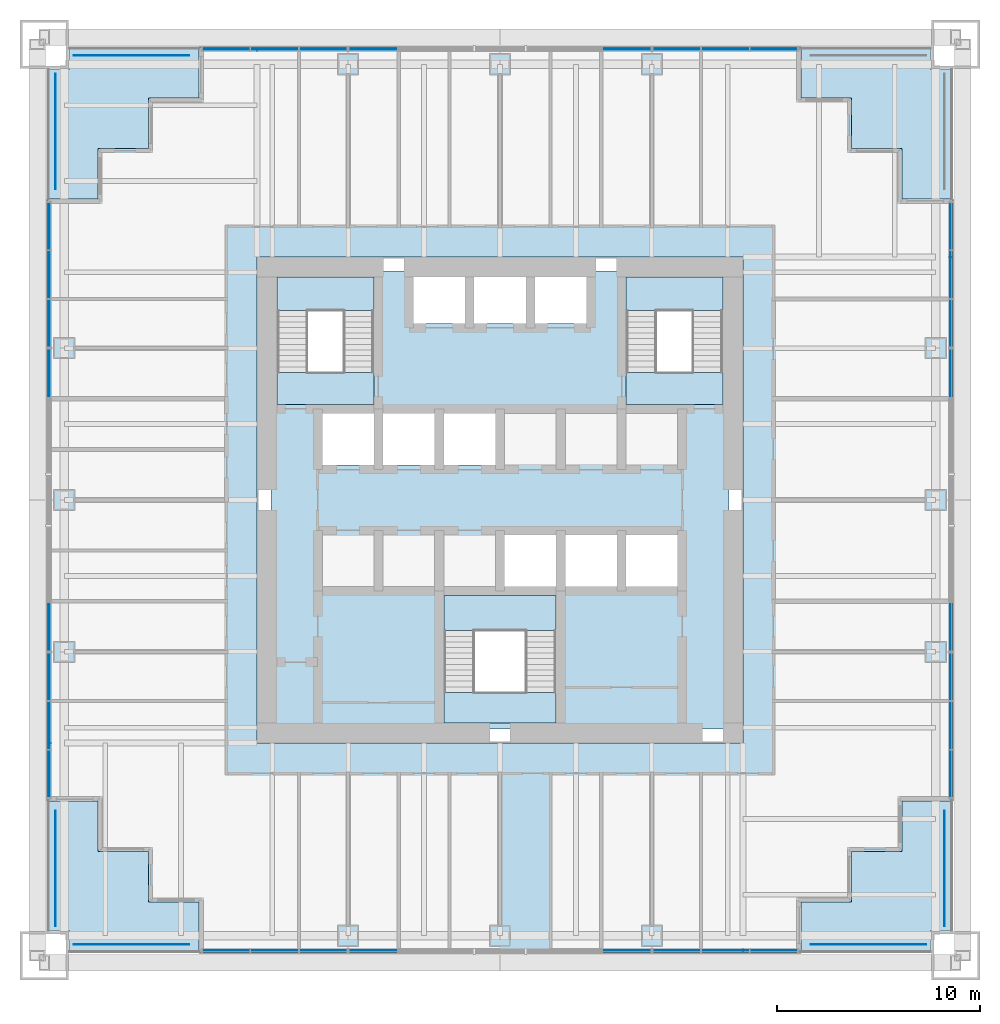
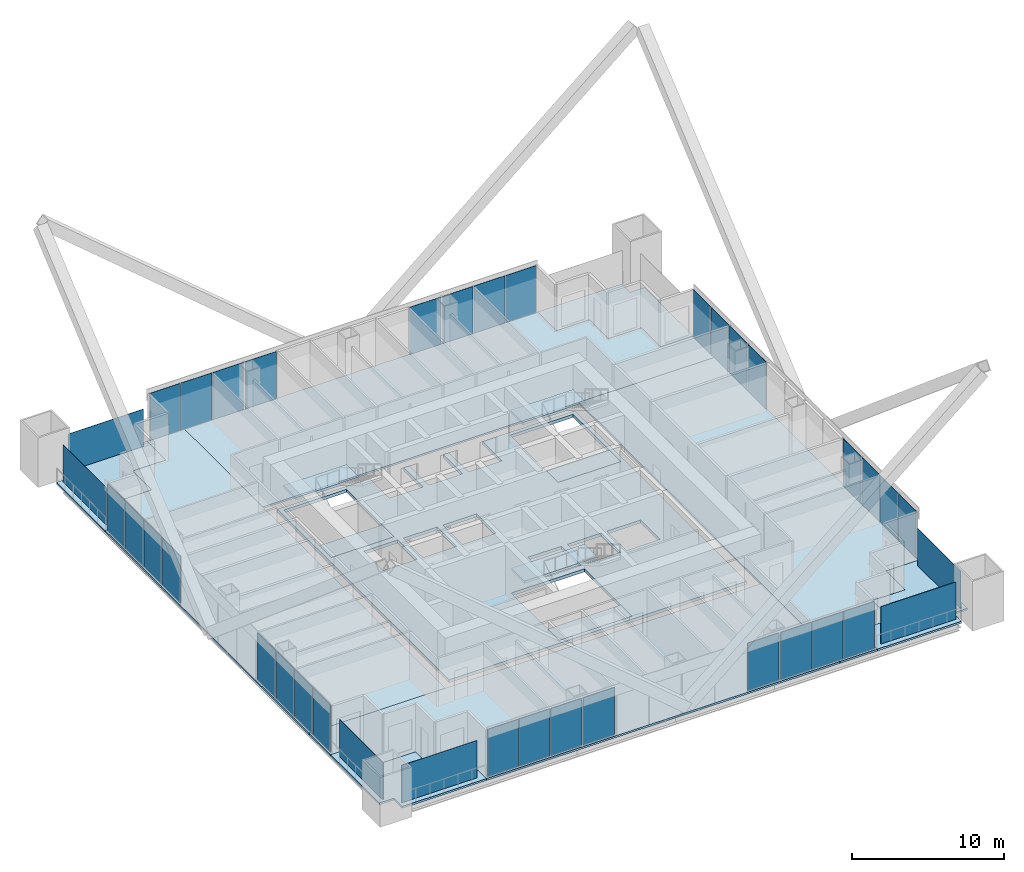
# One storey, part 10 of 17: 38 plates, 15 slabs, 19 elements without a shape of their own.
"""IFC4 building model written with IfcOpenShell, lengths in metres."""

from ifc_helpers import new_model, si_unit, direction, frame, origin, origin_2d, place, context, subcontext, project, spatial, polyline, rectangle, outline, extrude, material, layer, layer_set, type_object, element, aggregate, save


model = new_model("IFC4")

# Units and contexts
model_context = context("Model", 3, precision=1e-05, world=origin(), true_north=direction((0.0, 1.0)))
body_context = subcontext(model_context, "Body", "Model", "MODEL_VIEW")
ifc_project = project(units=[si_unit("LENGTHUNIT", "METRE"), si_unit("AREAUNIT", "SQUARE_METRE"), si_unit("VOLUMEUNIT", "CUBIC_METRE"), si_unit("PLANEANGLEUNIT", "RADIAN"), si_unit("MASSUNIT", "GRAM", prefix="KILO")], contexts=[model_context])

# Site, building, storey
site_placement = place(None, origin())
site = spatial("IfcSite", under=ifc_project, at=site_placement, CompositionType="ELEMENT")
building_placement = place(site_placement, origin())
building = spatial("IfcBuilding", under=site, at=building_placement, Name="Tarangal Relay Tower", CompositionType="ELEMENT")
storey_placement = place(building_placement, frame((0.0, 0.0, 233.89990234375)))
storey = spatial("IfcBuildingStorey", under=building, at=storey_placement, Name="L50", CompositionType="ELEMENT", Elevation=233.89990234375)

# Slabs
ifc_material_1 = material(Name="Concrete fc' 35 MPa", Category="concrete")
ifc_layer_1 = layer(ifc_material_1, 0.25)
ifc_layer_set_1 = layer_set([ifc_layer_1], Name="Core floor slab 250")
slab_type_1 = type_object("IfcSlabType", Name="Core floor slab 250", PredefinedType="FLOOR", material=ifc_layer_set_1)
slab_1_placement = place(storey_placement, frame((0.0, 0.0, -0.25)))
element("IfcSlab", 1, at=slab_1_placement, inside=storey, type_object=slab_type_1, Name="Core floor slab L50", PredefinedType="FLOOR", context=body_context, shape_type="SweptSolid", body=[
    extrude(outline(polyline([(11.300048828125, 11.300048828125), (11.300048828125, -11.300048828125), (-11.300048828125, -11.300048828125), (-11.300048828125, 11.300048828125), (-4.27490234375, 11.300048828125), (-4.27490234375, 8.72509765625), (-1.72509765625, 8.72509765625), (-1.72509765625, 11.300048828125), (-1.27490234375, 11.300048828125), (-1.27490234375, 8.72509765625), (1.27490234375, 8.72509765625), (1.27490234375, 11.300048828125), (1.72509765625, 11.300048828125), (1.72509765625, 8.72509765625), (4.27490234375, 8.72509765625), (4.27490234375, 11.300048828125), (11.300048828125, 11.300048828125)]), holes=[polyline([(-6.22509765625, 4.27490234375), (-8.77490234375, 4.27490234375), (-8.77490234375, 1.72509765625), (-6.22509765625, 1.72509765625), (-6.22509765625, 4.27490234375)]), polyline([(-3.22509765625, 1.72509765625), (-3.22509765625, 4.27490234375), (-5.77490234375, 4.27490234375), (-5.77490234375, 1.72509765625), (-3.22509765625, 1.72509765625)]), polyline([(-0.22509765625, 1.72509765625), (-0.22509765625, 4.27490234375), (-2.77490234375, 4.27490234375), (-2.77490234375, 1.72509765625), (-0.22509765625, 1.72509765625)]), polyline([(-6.22509765625, 11.0), (-11.0, 11.0), (-11.0, 4.72509765625), (-6.22509765625, 4.72509765625), (-6.22509765625, 11.0)]), polyline([(2.77490234375, -4.72509765625), (-2.77490234375, -4.72509765625), (-2.77490234375, -11.0), (2.77490234375, -11.0), (2.77490234375, -4.72509765625)]), polyline([(2.77490234375, -4.27490234375), (2.77490234375, -1.72509765625), (0.22509765625, -1.72509765625), (0.22509765625, -4.27490234375), (2.77490234375, -4.27490234375)]), polyline([(5.77490234375, -4.27490234375), (5.77490234375, -1.72509765625), (3.22509765625, -1.72509765625), (3.22509765625, -4.27490234375), (5.77490234375, -4.27490234375)]), polyline([(8.77490234375, -1.72509765625), (6.22509765625, -1.72509765625), (6.22509765625, -4.27490234375), (8.77490234375, -4.27490234375), (8.77490234375, -1.72509765625)]), polyline([(11.0, 4.72509765625), (11.0, 11.0), (6.22509765625, 11.0), (6.22509765625, 4.72509765625), (11.0, 4.72509765625)])]), origin(), (0.0, 0.0, 1.0), 0.25),
])
ifc_layer_2 = layer(ifc_material_1, 0.14990234375)
ifc_layer_set_2 = layer_set([ifc_layer_2], Name="Floor slab 150")
slab_type_2 = type_object("IfcSlabType", Name="Floor slab 150", PredefinedType="FLOOR", material=ifc_layer_set_2)
slab_2_placement = place(storey_placement, frame((0.0, 0.0, -0.14990234375)))
element("IfcSlab", 2, at=slab_2_placement, inside=storey, type_object=slab_type_2, Name="Floor slab FS3 L50 north bay", PredefinedType="FLOOR", context=body_context, shape_type="SweptSolid", body=[
    extrude(outline(polyline([(14.85009765625, 22.35009765625), (14.85009765625, 19.85009765625), (17.35009765625, 19.85009765625), (17.35009765625, 17.35009765625), (19.85009765625, 17.35009765625), (19.85009765625, 14.85009765625), (22.35009765625, 14.85009765625), (22.35009765625, 12.0), (-12.0, 12.0), (-12.0, 22.35009765625), (14.85009765625, 22.35009765625)])), origin(), (0.0, 0.0, 1.0), 0.14990234375),
])
slab_3_placement = place(storey_placement, frame((0.0, 0.0, -0.14990234375)))
element("IfcSlab", 3, at=slab_3_placement, inside=storey, type_object=slab_type_2, Name="Floor slab FS3 L50 east bay", PredefinedType="FLOOR", context=body_context, shape_type="SweptSolid", body=[
    extrude(outline(polyline([(22.35009765625, -14.85009765625), (19.85009765625, -14.85009765625), (19.85009765625, -17.35009765625), (17.35009765625, -17.35009765625), (17.35009765625, -19.85009765625), (14.85009765625, -19.85009765625), (14.85009765625, -22.35009765625), (12.0, -22.35009765625), (12.0, 12.0), (22.35009765625, 12.0), (22.35009765625, -14.85009765625)])), origin(), (0.0, 0.0, 1.0), 0.14990234375),
])
slab_4_placement = place(storey_placement, frame((0.0, 0.0, -0.14990234375)))
element("IfcSlab", 4, at=slab_4_placement, inside=storey, type_object=slab_type_2, Name="Floor slab FS3 L50 south bay", PredefinedType="FLOOR", context=body_context, shape_type="SweptSolid", body=[
    extrude(outline(polyline([(-14.85009765625, -22.35009765625), (-14.85009765625, -19.85009765625), (-17.35009765625, -19.85009765625), (-17.35009765625, -17.35009765625), (-19.85009765625, -17.35009765625), (-19.85009765625, -14.85009765625), (-22.35009765625, -14.85009765625), (-22.35009765625, -12.0), (12.0, -12.0), (12.0, -22.35009765625), (-14.85009765625, -22.35009765625)])), origin(), (0.0, 0.0, 1.0), 0.14990234375),
])
slab_5_placement = place(storey_placement, frame((0.0, 0.0, -0.14990234375)))
element("IfcSlab", 5, at=slab_5_placement, inside=storey, type_object=slab_type_2, Name="Floor slab FS3 L50 west bay", PredefinedType="FLOOR", context=body_context, shape_type="SweptSolid", body=[
    extrude(outline(polyline([(-12.0, 22.35009765625), (-12.0, -12.0), (-22.35009765625, -12.0), (-22.35009765625, 14.85009765625), (-19.85009765625, 14.85009765625), (-19.85009765625, 17.35009765625), (-17.35009765625, 17.35009765625), (-17.35009765625, 19.85009765625), (-14.85009765625, 19.85009765625), (-14.85009765625, 22.35009765625), (-12.0, 22.35009765625)])), origin(), (0.0, 0.0, 1.0), 0.14990234375),
])

# Curtain wall, plates
ifc_material_2 = material(Name="Unitised curtain wall, dark glass and black aluminium", Category="aluminium")
curtain_wall_type = type_object("IfcCurtainWallType", Name="Curtain wall CW-A", PredefinedType="USERDEFINED", material=ifc_material_2)
curtain_wall_1_placement = place(storey_placement, origin())
curtain_wall_1 = element("IfcCurtainWall", 6, at=curtain_wall_1_placement, inside=storey, type_object=curtain_wall_type, Name="Curtain wall CW-A N facade L50", ObjectType="UNITISED CURTAIN WALL", PredefinedType="USERDEFINED")
ifc_material_3 = material(Name="Dark tinted insulated glass unit", Category="glass")
ifc_layer_3 = layer(ifc_material_3, 0.031982421875)
ifc_layer_set_3 = layer_set([ifc_layer_3], Name="Glazed panel CW-A 32")
plate_type_1 = type_object("IfcPlateType", Name="Glazed panel CW-A 32", PredefinedType="CURTAIN_PANEL", material=ifc_layer_set_3)
plate_1_placement = place(storey_placement, frame((-13.525390625, 22.25, 0.06494140625), z_axis=(0.0, 0.0, 1.0), x_axis=(1.0, 0.0, 0.0)))
plate_1 = element("IfcPlate", 7, at=plate_1_placement, type_object=plate_type_1, Name="CW-A panel 1.1", PredefinedType="CURTAIN_PANEL", context=body_context, shape_type="SweptSolid", body=[
    extrude(rectangle(XDim=2.319091796875, YDim=0.031982421875, at=origin_2d()), origin(), (0.0, 0.0, 1.0), 3.784912109375),
])
plate_2_placement = place(storey_placement, frame((-11.125, 22.25, 0.06494140625), z_axis=(0.0, 0.0, 1.0), x_axis=(1.0, 0.0, 0.0)))
plate_2 = element("IfcPlate", 8, at=plate_2_placement, type_object=plate_type_1, Name="CW-A panel 2.1", PredefinedType="CURTAIN_PANEL", context=body_context, shape_type="SweptSolid", body=[
    extrude(rectangle(XDim=2.3515625, YDim=0.031982421875, at=origin_2d()), origin(), (0.0, 0.0, 1.0), 3.784912109375),
])
plate_3_placement = place(storey_placement, frame((-8.724609375, 22.25, 0.06494140625), z_axis=(0.0, 0.0, 1.0), x_axis=(1.0, 0.0, 0.0)))
plate_3 = element("IfcPlate", 9, at=plate_3_placement, type_object=plate_type_1, Name="CW-A panel 3.1", PredefinedType="CURTAIN_PANEL", context=body_context, shape_type="SweptSolid", body=[
    extrude(rectangle(XDim=2.319091796875, YDim=0.031982421875, at=origin_2d()), origin(), (0.0, 0.0, 1.0), 3.784912109375),
])
aggregate(curtain_wall_1, [plate_1, plate_2, plate_3])

# Curtain wall, plate
curtain_wall_2_placement = place(storey_placement, origin())
curtain_wall_2 = element("IfcCurtainWall", 10, at=curtain_wall_2_placement, inside=storey, type_object=curtain_wall_type, Name="Curtain wall CW-A N facade L50", ObjectType="UNITISED CURTAIN WALL", PredefinedType="USERDEFINED")
plate_4_placement = place(storey_placement, frame((-6.25, 22.25, 0.06494140625), z_axis=(0.0, 0.0, 1.0), x_axis=(1.0, 0.0, 0.0)))
plate_4 = element("IfcPlate", 11, at=plate_4_placement, type_object=plate_type_1, Name="CW-A panel 1.1", PredefinedType="CURTAIN_PANEL", context=body_context, shape_type="SweptSolid", body=[
    extrude(rectangle(XDim=2.3701171875, YDim=0.031982421875, at=origin_2d()), origin(), (0.0, 0.0, 1.0), 3.784912109375),
])
aggregate(curtain_wall_2, [plate_4])

curtain_wall_3_placement = place(storey_placement, origin())
curtain_wall_3 = element("IfcCurtainWall", 12, at=curtain_wall_3_placement, inside=storey, type_object=curtain_wall_type, Name="Curtain wall CW-A N facade L50", ObjectType="UNITISED CURTAIN WALL", PredefinedType="USERDEFINED")
plate_5_placement = place(storey_placement, frame((6.25, 22.25, 0.06494140625), z_axis=(0.0, 0.0, 1.0), x_axis=(1.0, 0.0, 0.0)))
plate_5 = element("IfcPlate", 13, at=plate_5_placement, type_object=plate_type_1, Name="CW-A panel 1.1", PredefinedType="CURTAIN_PANEL", context=body_context, shape_type="SweptSolid", body=[
    extrude(rectangle(XDim=2.3701171875, YDim=0.031982421875, at=origin_2d()), origin(), (0.0, 0.0, 1.0), 3.784912109375),
])
aggregate(curtain_wall_3, [plate_5])

# Curtain wall, plates
curtain_wall_4_placement = place(storey_placement, origin())
curtain_wall_4 = element("IfcCurtainWall", 14, at=curtain_wall_4_placement, inside=storey, type_object=curtain_wall_type, Name="Curtain wall CW-A N facade L50", ObjectType="UNITISED CURTAIN WALL", PredefinedType="USERDEFINED")
plate_6_placement = place(storey_placement, frame((8.724609375, 22.25, 0.06494140625), z_axis=(0.0, 0.0, 1.0), x_axis=(1.0, 0.0, 0.0)))
plate_6 = element("IfcPlate", 15, at=plate_6_placement, type_object=plate_type_1, Name="CW-A panel 1.1", PredefinedType="CURTAIN_PANEL", context=body_context, shape_type="SweptSolid", body=[
    extrude(rectangle(XDim=2.319091796875, YDim=0.031982421875, at=origin_2d()), origin(), (0.0, 0.0, 1.0), 3.784912109375),
])
plate_7_placement = place(storey_placement, frame((11.125, 22.25, 0.06494140625), z_axis=(0.0, 0.0, 1.0), x_axis=(1.0, 0.0, 0.0)))
plate_7 = element("IfcPlate", 16, at=plate_7_placement, type_object=plate_type_1, Name="CW-A panel 2.1", PredefinedType="CURTAIN_PANEL", context=body_context, shape_type="SweptSolid", body=[
    extrude(rectangle(XDim=2.3515625, YDim=0.031982421875, at=origin_2d()), origin(), (0.0, 0.0, 1.0), 3.784912109375),
])
plate_8_placement = place(storey_placement, frame((13.525390625, 22.25, 0.06494140625), z_axis=(0.0, 0.0, 1.0), x_axis=(1.0, 0.0, 0.0)))
plate_8 = element("IfcPlate", 17, at=plate_8_placement, type_object=plate_type_1, Name="CW-A panel 3.1", PredefinedType="CURTAIN_PANEL", context=body_context, shape_type="SweptSolid", body=[
    extrude(rectangle(XDim=2.319091796875, YDim=0.031982421875, at=origin_2d()), origin(), (0.0, 0.0, 1.0), 3.784912109375),
])
aggregate(curtain_wall_4, [plate_6, plate_7, plate_8])

curtain_wall_5_placement = place(storey_placement, origin())
curtain_wall_5 = element("IfcCurtainWall", 18, at=curtain_wall_5_placement, inside=storey, type_object=curtain_wall_type, Name="Curtain wall CW-A E facade L50", ObjectType="UNITISED CURTAIN WALL", PredefinedType="USERDEFINED")
plate_9_placement = place(storey_placement, frame((22.25, 13.525390625, 0.06494140625), z_axis=(0.0, 0.0, 1.0), x_axis=(0.0, -1.0, 0.0)))
plate_9 = element("IfcPlate", 19, at=plate_9_placement, type_object=plate_type_1, Name="CW-A panel 1.1", PredefinedType="CURTAIN_PANEL", context=body_context, shape_type="SweptSolid", body=[
    extrude(rectangle(XDim=2.319091796875, YDim=0.031982421875, at=origin_2d()), origin(), (0.0, 0.0, 1.0), 3.784912109375),
])
plate_10_placement = place(storey_placement, frame((22.25, 11.125, 0.06494140625), z_axis=(0.0, 0.0, 1.0), x_axis=(0.0, -1.0, 0.0)))
plate_10 = element("IfcPlate", 20, at=plate_10_placement, type_object=plate_type_1, Name="CW-A panel 2.1", PredefinedType="CURTAIN_PANEL", context=body_context, shape_type="SweptSolid", body=[
    extrude(rectangle(XDim=2.3515625, YDim=0.031982421875, at=origin_2d()), origin(), (0.0, 0.0, 1.0), 3.784912109375),
])
plate_11_placement = place(storey_placement, frame((22.25, 8.724609375, 0.06494140625), z_axis=(0.0, 0.0, 1.0), x_axis=(0.0, -1.0, 0.0)))
plate_11 = element("IfcPlate", 21, at=plate_11_placement, type_object=plate_type_1, Name="CW-A panel 3.1", PredefinedType="CURTAIN_PANEL", context=body_context, shape_type="SweptSolid", body=[
    extrude(rectangle(XDim=2.319091796875, YDim=0.031982421875, at=origin_2d()), origin(), (0.0, 0.0, 1.0), 3.784912109375),
])
aggregate(curtain_wall_5, [plate_9, plate_10, plate_11])

# Curtain wall, plate
curtain_wall_6_placement = place(storey_placement, origin())
curtain_wall_6 = element("IfcCurtainWall", 22, at=curtain_wall_6_placement, inside=storey, type_object=curtain_wall_type, Name="Curtain wall CW-A E facade L50", ObjectType="UNITISED CURTAIN WALL", PredefinedType="USERDEFINED")
plate_12_placement = place(storey_placement, frame((22.25, 6.25, 0.06494140625), z_axis=(0.0, 0.0, 1.0), x_axis=(0.0, -1.0, 0.0)))
plate_12 = element("IfcPlate", 23, at=plate_12_placement, type_object=plate_type_1, Name="CW-A panel 1.1", PredefinedType="CURTAIN_PANEL", context=body_context, shape_type="SweptSolid", body=[
    extrude(rectangle(XDim=2.3701171875, YDim=0.031982421875, at=origin_2d()), origin(), (0.0, 0.0, 1.0), 3.784912109375),
])
aggregate(curtain_wall_6, [plate_12])

curtain_wall_7_placement = place(storey_placement, origin())
curtain_wall_7 = element("IfcCurtainWall", 24, at=curtain_wall_7_placement, inside=storey, type_object=curtain_wall_type, Name="Curtain wall CW-A E facade L50", ObjectType="UNITISED CURTAIN WALL", PredefinedType="USERDEFINED")
plate_13_placement = place(storey_placement, frame((22.25, -6.25, 0.06494140625), z_axis=(0.0, 0.0, 1.0), x_axis=(0.0, -1.0, 0.0)))
plate_13 = element("IfcPlate", 25, at=plate_13_placement, type_object=plate_type_1, Name="CW-A panel 1.1", PredefinedType="CURTAIN_PANEL", context=body_context, shape_type="SweptSolid", body=[
    extrude(rectangle(XDim=2.3701171875, YDim=0.031982421875, at=origin_2d()), origin(), (0.0, 0.0, 1.0), 3.784912109375),
])
aggregate(curtain_wall_7, [plate_13])

# Curtain wall, plates
curtain_wall_8_placement = place(storey_placement, origin())
curtain_wall_8 = element("IfcCurtainWall", 26, at=curtain_wall_8_placement, inside=storey, type_object=curtain_wall_type, Name="Curtain wall CW-A E facade L50", ObjectType="UNITISED CURTAIN WALL", PredefinedType="USERDEFINED")
plate_14_placement = place(storey_placement, frame((22.25, -8.724609375, 0.06494140625), z_axis=(0.0, 0.0, 1.0), x_axis=(0.0, -1.0, 0.0)))
plate_14 = element("IfcPlate", 27, at=plate_14_placement, type_object=plate_type_1, Name="CW-A panel 1.1", PredefinedType="CURTAIN_PANEL", context=body_context, shape_type="SweptSolid", body=[
    extrude(rectangle(XDim=2.319091796875, YDim=0.031982421875, at=origin_2d()), origin(), (0.0, 0.0, 1.0), 3.784912109375),
])
plate_15_placement = place(storey_placement, frame((22.25, -11.125, 0.06494140625), z_axis=(0.0, 0.0, 1.0), x_axis=(0.0, -1.0, 0.0)))
plate_15 = element("IfcPlate", 28, at=plate_15_placement, type_object=plate_type_1, Name="CW-A panel 2.1", PredefinedType="CURTAIN_PANEL", context=body_context, shape_type="SweptSolid", body=[
    extrude(rectangle(XDim=2.3515625, YDim=0.031982421875, at=origin_2d()), origin(), (0.0, 0.0, 1.0), 3.784912109375),
])
plate_16_placement = place(storey_placement, frame((22.25, -13.525390625, 0.06494140625), z_axis=(0.0, 0.0, 1.0), x_axis=(0.0, -1.0, 0.0)))
plate_16 = element("IfcPlate", 29, at=plate_16_placement, type_object=plate_type_1, Name="CW-A panel 3.1", PredefinedType="CURTAIN_PANEL", context=body_context, shape_type="SweptSolid", body=[
    extrude(rectangle(XDim=2.319091796875, YDim=0.031982421875, at=origin_2d()), origin(), (0.0, 0.0, 1.0), 3.784912109375),
])
aggregate(curtain_wall_8, [plate_14, plate_15, plate_16])

curtain_wall_9_placement = place(storey_placement, origin())
curtain_wall_9 = element("IfcCurtainWall", 30, at=curtain_wall_9_placement, inside=storey, type_object=curtain_wall_type, Name="Curtain wall CW-A S facade L50", ObjectType="UNITISED CURTAIN WALL", PredefinedType="USERDEFINED")
plate_17_placement = place(storey_placement, frame((13.525390625, -22.25, 0.06494140625), z_axis=(0.0, 0.0, 1.0), x_axis=(-1.0, 0.0, 0.0)))
plate_17 = element("IfcPlate", 31, at=plate_17_placement, type_object=plate_type_1, Name="CW-A panel 1.1", PredefinedType="CURTAIN_PANEL", context=body_context, shape_type="SweptSolid", body=[
    extrude(rectangle(XDim=2.319091796875, YDim=0.031982421875, at=origin_2d()), origin(), (0.0, 0.0, 1.0), 3.784912109375),
])
plate_18_placement = place(storey_placement, frame((11.125, -22.25, 0.06494140625), z_axis=(0.0, 0.0, 1.0), x_axis=(-1.0, 0.0, 0.0)))
plate_18 = element("IfcPlate", 32, at=plate_18_placement, type_object=plate_type_1, Name="CW-A panel 2.1", PredefinedType="CURTAIN_PANEL", context=body_context, shape_type="SweptSolid", body=[
    extrude(rectangle(XDim=2.3515625, YDim=0.031982421875, at=origin_2d()), origin(), (0.0, 0.0, 1.0), 3.784912109375),
])
plate_19_placement = place(storey_placement, frame((8.724609375, -22.25, 0.06494140625), z_axis=(0.0, 0.0, 1.0), x_axis=(-1.0, 0.0, 0.0)))
plate_19 = element("IfcPlate", 33, at=plate_19_placement, type_object=plate_type_1, Name="CW-A panel 3.1", PredefinedType="CURTAIN_PANEL", context=body_context, shape_type="SweptSolid", body=[
    extrude(rectangle(XDim=2.319091796875, YDim=0.031982421875, at=origin_2d()), origin(), (0.0, 0.0, 1.0), 3.784912109375),
])
aggregate(curtain_wall_9, [plate_17, plate_18, plate_19])

# Curtain wall, plate
curtain_wall_10_placement = place(storey_placement, origin())
curtain_wall_10 = element("IfcCurtainWall", 34, at=curtain_wall_10_placement, inside=storey, type_object=curtain_wall_type, Name="Curtain wall CW-A S facade L50", ObjectType="UNITISED CURTAIN WALL", PredefinedType="USERDEFINED")
plate_20_placement = place(storey_placement, frame((6.25, -22.25, 0.06494140625), z_axis=(0.0, 0.0, 1.0), x_axis=(-1.0, 0.0, 0.0)))
plate_20 = element("IfcPlate", 35, at=plate_20_placement, type_object=plate_type_1, Name="CW-A panel 1.1", PredefinedType="CURTAIN_PANEL", context=body_context, shape_type="SweptSolid", body=[
    extrude(rectangle(XDim=2.3701171875, YDim=0.031982421875, at=origin_2d()), origin(), (0.0, 0.0, 1.0), 3.784912109375),
])
aggregate(curtain_wall_10, [plate_20])

curtain_wall_11_placement = place(storey_placement, origin())
curtain_wall_11 = element("IfcCurtainWall", 36, at=curtain_wall_11_placement, inside=storey, type_object=curtain_wall_type, Name="Curtain wall CW-A S facade L50", ObjectType="UNITISED CURTAIN WALL", PredefinedType="USERDEFINED")
plate_21_placement = place(storey_placement, frame((-6.25, -22.25, 0.06494140625), z_axis=(0.0, 0.0, 1.0), x_axis=(-1.0, 0.0, 0.0)))
plate_21 = element("IfcPlate", 37, at=plate_21_placement, type_object=plate_type_1, Name="CW-A panel 1.1", PredefinedType="CURTAIN_PANEL", context=body_context, shape_type="SweptSolid", body=[
    extrude(rectangle(XDim=2.3701171875, YDim=0.031982421875, at=origin_2d()), origin(), (0.0, 0.0, 1.0), 3.784912109375),
])
aggregate(curtain_wall_11, [plate_21])

# Curtain wall, plates
curtain_wall_12_placement = place(storey_placement, origin())
curtain_wall_12 = element("IfcCurtainWall", 38, at=curtain_wall_12_placement, inside=storey, type_object=curtain_wall_type, Name="Curtain wall CW-A S facade L50", ObjectType="UNITISED CURTAIN WALL", PredefinedType="USERDEFINED")
plate_22_placement = place(storey_placement, frame((-8.724609375, -22.25, 0.06494140625), z_axis=(0.0, 0.0, 1.0), x_axis=(-1.0, 0.0, 0.0)))
plate_22 = element("IfcPlate", 39, at=plate_22_placement, type_object=plate_type_1, Name="CW-A panel 1.1", PredefinedType="CURTAIN_PANEL", context=body_context, shape_type="SweptSolid", body=[
    extrude(rectangle(XDim=2.319091796875, YDim=0.031982421875, at=origin_2d()), origin(), (0.0, 0.0, 1.0), 3.784912109375),
])
plate_23_placement = place(storey_placement, frame((-11.125, -22.25, 0.06494140625), z_axis=(0.0, 0.0, 1.0), x_axis=(-1.0, 0.0, 0.0)))
plate_23 = element("IfcPlate", 40, at=plate_23_placement, type_object=plate_type_1, Name="CW-A panel 2.1", PredefinedType="CURTAIN_PANEL", context=body_context, shape_type="SweptSolid", body=[
    extrude(rectangle(XDim=2.3515625, YDim=0.031982421875, at=origin_2d()), origin(), (0.0, 0.0, 1.0), 3.784912109375),
])
plate_24_placement = place(storey_placement, frame((-13.525390625, -22.25, 0.06494140625), z_axis=(0.0, 0.0, 1.0), x_axis=(-1.0, 0.0, 0.0)))
plate_24 = element("IfcPlate", 41, at=plate_24_placement, type_object=plate_type_1, Name="CW-A panel 3.1", PredefinedType="CURTAIN_PANEL", context=body_context, shape_type="SweptSolid", body=[
    extrude(rectangle(XDim=2.319091796875, YDim=0.031982421875, at=origin_2d()), origin(), (0.0, 0.0, 1.0), 3.784912109375),
])
aggregate(curtain_wall_12, [plate_22, plate_23, plate_24])

curtain_wall_13_placement = place(storey_placement, origin())
curtain_wall_13 = element("IfcCurtainWall", 42, at=curtain_wall_13_placement, inside=storey, type_object=curtain_wall_type, Name="Curtain wall CW-A W facade L50", ObjectType="UNITISED CURTAIN WALL", PredefinedType="USERDEFINED")
plate_25_placement = place(storey_placement, frame((-22.25, -13.525390625, 0.06494140625), z_axis=(0.0, 0.0, 1.0), x_axis=(0.0, 1.0, 0.0)))
plate_25 = element("IfcPlate", 43, at=plate_25_placement, type_object=plate_type_1, Name="CW-A panel 1.1", PredefinedType="CURTAIN_PANEL", context=body_context, shape_type="SweptSolid", body=[
    extrude(rectangle(XDim=2.319091796875, YDim=0.031982421875, at=origin_2d()), origin(), (0.0, 0.0, 1.0), 3.784912109375),
])
plate_26_placement = place(storey_placement, frame((-22.25, -11.125, 0.06494140625), z_axis=(0.0, 0.0, 1.0), x_axis=(0.0, 1.0, 0.0)))
plate_26 = element("IfcPlate", 44, at=plate_26_placement, type_object=plate_type_1, Name="CW-A panel 2.1", PredefinedType="CURTAIN_PANEL", context=body_context, shape_type="SweptSolid", body=[
    extrude(rectangle(XDim=2.3515625, YDim=0.031982421875, at=origin_2d()), origin(), (0.0, 0.0, 1.0), 3.784912109375),
])
plate_27_placement = place(storey_placement, frame((-22.25, -8.724609375, 0.06494140625), z_axis=(0.0, 0.0, 1.0), x_axis=(0.0, 1.0, 0.0)))
plate_27 = element("IfcPlate", 45, at=plate_27_placement, type_object=plate_type_1, Name="CW-A panel 3.1", PredefinedType="CURTAIN_PANEL", context=body_context, shape_type="SweptSolid", body=[
    extrude(rectangle(XDim=2.319091796875, YDim=0.031982421875, at=origin_2d()), origin(), (0.0, 0.0, 1.0), 3.784912109375),
])
aggregate(curtain_wall_13, [plate_25, plate_26, plate_27])

# Curtain wall, plate
curtain_wall_14_placement = place(storey_placement, origin())
curtain_wall_14 = element("IfcCurtainWall", 46, at=curtain_wall_14_placement, inside=storey, type_object=curtain_wall_type, Name="Curtain wall CW-A W facade L50", ObjectType="UNITISED CURTAIN WALL", PredefinedType="USERDEFINED")
plate_28_placement = place(storey_placement, frame((-22.25, -6.25, 0.06494140625), z_axis=(0.0, 0.0, 1.0), x_axis=(0.0, 1.0, 0.0)))
plate_28 = element("IfcPlate", 47, at=plate_28_placement, type_object=plate_type_1, Name="CW-A panel 1.1", PredefinedType="CURTAIN_PANEL", context=body_context, shape_type="SweptSolid", body=[
    extrude(rectangle(XDim=2.3701171875, YDim=0.031982421875, at=origin_2d()), origin(), (0.0, 0.0, 1.0), 3.784912109375),
])
aggregate(curtain_wall_14, [plate_28])

curtain_wall_15_placement = place(storey_placement, origin())
curtain_wall_15 = element("IfcCurtainWall", 48, at=curtain_wall_15_placement, inside=storey, type_object=curtain_wall_type, Name="Curtain wall CW-A W facade L50", ObjectType="UNITISED CURTAIN WALL", PredefinedType="USERDEFINED")
plate_29_placement = place(storey_placement, frame((-22.25, 6.25, 0.06494140625), z_axis=(0.0, 0.0, 1.0), x_axis=(0.0, 1.0, 0.0)))
plate_29 = element("IfcPlate", 49, at=plate_29_placement, type_object=plate_type_1, Name="CW-A panel 1.1", PredefinedType="CURTAIN_PANEL", context=body_context, shape_type="SweptSolid", body=[
    extrude(rectangle(XDim=2.3701171875, YDim=0.031982421875, at=origin_2d()), origin(), (0.0, 0.0, 1.0), 3.784912109375),
])
aggregate(curtain_wall_15, [plate_29])

# Curtain wall, plates
curtain_wall_16_placement = place(storey_placement, origin())
curtain_wall_16 = element("IfcCurtainWall", 50, at=curtain_wall_16_placement, inside=storey, type_object=curtain_wall_type, Name="Curtain wall CW-A W facade L50", ObjectType="UNITISED CURTAIN WALL", PredefinedType="USERDEFINED")
plate_30_placement = place(storey_placement, frame((-22.25, 8.724609375, 0.06494140625), z_axis=(0.0, 0.0, 1.0), x_axis=(0.0, 1.0, 0.0)))
plate_30 = element("IfcPlate", 51, at=plate_30_placement, type_object=plate_type_1, Name="CW-A panel 1.1", PredefinedType="CURTAIN_PANEL", context=body_context, shape_type="SweptSolid", body=[
    extrude(rectangle(XDim=2.319091796875, YDim=0.031982421875, at=origin_2d()), origin(), (0.0, 0.0, 1.0), 3.784912109375),
])
plate_31_placement = place(storey_placement, frame((-22.25, 11.125, 0.06494140625), z_axis=(0.0, 0.0, 1.0), x_axis=(0.0, 1.0, 0.0)))
plate_31 = element("IfcPlate", 52, at=plate_31_placement, type_object=plate_type_1, Name="CW-A panel 2.1", PredefinedType="CURTAIN_PANEL", context=body_context, shape_type="SweptSolid", body=[
    extrude(rectangle(XDim=2.3515625, YDim=0.031982421875, at=origin_2d()), origin(), (0.0, 0.0, 1.0), 3.784912109375),
])
plate_32_placement = place(storey_placement, frame((-22.25, 13.525390625, 0.06494140625), z_axis=(0.0, 0.0, 1.0), x_axis=(0.0, 1.0, 0.0)))
plate_32 = element("IfcPlate", 53, at=plate_32_placement, type_object=plate_type_1, Name="CW-A panel 3.1", PredefinedType="CURTAIN_PANEL", context=body_context, shape_type="SweptSolid", body=[
    extrude(rectangle(XDim=2.319091796875, YDim=0.031982421875, at=origin_2d()), origin(), (0.0, 0.0, 1.0), 3.784912109375),
])
aggregate(curtain_wall_16, [plate_30, plate_31, plate_32])

# Plates
ifc_material_4 = material(Name="Black stainless steel cable trellis with climbing planting", Category="steel")
ifc_layer_4 = layer(ifc_material_4, 0.030029296875)
ifc_layer_set_4 = layer_set([ifc_layer_4], Name="Planted trellis screen")
plate_type_2 = type_object("IfcPlateType", Name="Planted trellis screen", PredefinedType="SHEET", material=ifc_layer_set_4)
for number, where, z_axis, x_axis, name in (
    (54, (18.199951171875, -21.949951171875, 0.0), (0.0, 0.0, 1.0), (-1.0, 0.0, 0.0), "Planted trellis SC2 SE L50"),
    (55, (-21.949951171875, -18.199951171875, 0.0), (0.0, 0.0, 1.0), (0.0, 1.0, 0.0), "Planted trellis SC2 SW L50"),
    (56, (-18.199951171875, 21.949951171875, 0.0), (0.0, 0.0, 1.0), (1.0, 0.0, 0.0), "Planted trellis SC2 NW L50"),
):
    element("IfcPlate", number, at=place(storey_placement, frame(where, z_axis=z_axis, x_axis=x_axis)), inside=storey, type_object=plate_type_2, Name=name, PredefinedType="SHEET", context=body_context, shape_type="SweptSolid", body=[
        extrude(rectangle(XDim=5.699951171875, YDim=0.030029296875, at=origin_2d()), origin(), (0.0, 0.0, 1.0), 3.0),
    ])

# Stair, slabs
ifc_material_5 = material(Name="Steel ASTM A992 stair flight", Category="steel")
stair_type = type_object("IfcStairType", Name="Core stair 1500", PredefinedType="HALF_TURN_STAIR", material=ifc_material_5)
stair_1_placement = place(storey_placement, origin())
stair_1 = element("IfcStair", 57, at=stair_1_placement, inside=storey, type_object=stair_type, Name="Stair ST-A L50", PredefinedType="HALF_TURN_STAIR")
ifc_layer_5 = layer(ifc_material_1, 0.199951171875)
ifc_layer_set_5 = layer_set([ifc_layer_5], Name="Stair landing 200")
slab_type_3 = type_object("IfcSlabType", Name="Stair landing 200", PredefinedType="LANDING", material=ifc_layer_set_5)
slab_6_placement = place(storey_placement, frame((0.0, 0.0, -0.199951171875)))
slab_6 = element("IfcSlab", 58, at=slab_6_placement, type_object=slab_type_3, Name="ST-A landing 1", PredefinedType="LANDING", context=body_context, shape_type="SweptSolid", body=[
    extrude(outline(polyline([(-11.0, 4.72509765625), (-6.22509765625, 4.72509765625), (-6.22509765625, 6.300048828125), (-11.0, 6.300048828125), (-11.0, 4.72509765625)])), origin(), (0.0, 0.0, 1.0), 0.199951171875),
])
slab_7_placement = place(storey_placement, frame((0.0, 0.0, 1.800048828125)))
slab_7 = element("IfcSlab", 59, at=slab_7_placement, type_object=slab_type_3, Name="ST-A landing 2", PredefinedType="LANDING", context=body_context, shape_type="SweptSolid", body=[
    extrude(outline(polyline([(-11.0, 9.346923828125), (-6.22509765625, 9.346923828125), (-6.22509765625, 11.0), (-11.0, 11.0), (-11.0, 9.346923828125)])), origin(), (0.0, 0.0, 1.0), 0.199951171875),
])
aggregate(stair_1, [slab_6, slab_7])

stair_2_placement = place(storey_placement, origin())
stair_2 = element("IfcStair", 60, at=stair_2_placement, inside=storey, type_object=stair_type, Name="Stair ST-B L50", PredefinedType="HALF_TURN_STAIR")
slab_8_placement = place(storey_placement, frame((0.0, 0.0, -0.199951171875)))
slab_8 = element("IfcSlab", 61, at=slab_8_placement, type_object=slab_type_3, Name="ST-B landing 1", PredefinedType="LANDING", context=body_context, shape_type="SweptSolid", body=[
    extrude(outline(polyline([(6.22509765625, 4.72509765625), (11.0, 4.72509765625), (11.0, 6.300048828125), (6.22509765625, 6.300048828125), (6.22509765625, 4.72509765625)])), origin(), (0.0, 0.0, 1.0), 0.199951171875),
])
slab_9_placement = place(storey_placement, frame((0.0, 0.0, 1.800048828125)))
slab_9 = element("IfcSlab", 62, at=slab_9_placement, type_object=slab_type_3, Name="ST-B landing 2", PredefinedType="LANDING", context=body_context, shape_type="SweptSolid", body=[
    extrude(outline(polyline([(6.22509765625, 9.346923828125), (11.0, 9.346923828125), (11.0, 11.0), (6.22509765625, 11.0), (6.22509765625, 9.346923828125)])), origin(), (0.0, 0.0, 1.0), 0.199951171875),
])
aggregate(stair_2, [slab_8, slab_9])

stair_3_placement = place(storey_placement, origin())
stair_3 = element("IfcStair", 63, at=stair_3_placement, inside=storey, type_object=stair_type, Name="Stair ST-C L50", PredefinedType="HALF_TURN_STAIR")
slab_10_placement = place(storey_placement, frame((0.0, 0.0, -0.199951171875)))
slab_10 = element("IfcSlab", 64, at=slab_10_placement, type_object=slab_type_3, Name="ST-C landing 1", PredefinedType="LANDING", context=body_context, shape_type="SweptSolid", body=[
    extrude(outline(polyline([(-2.77490234375, -11.0), (2.77490234375, -11.0), (2.77490234375, -9.5), (-2.77490234375, -9.5), (-2.77490234375, -11.0)])), origin(), (0.0, 0.0, 1.0), 0.199951171875),
])
slab_11_placement = place(storey_placement, frame((0.0, 0.0, 1.800048828125)))
slab_11 = element("IfcSlab", 65, at=slab_11_placement, type_object=slab_type_3, Name="ST-C landing 2", PredefinedType="LANDING", context=body_context, shape_type="SweptSolid", body=[
    extrude(outline(polyline([(-2.77490234375, -6.452880859375), (2.77490234375, -6.452880859375), (2.77490234375, -4.72509765625), (-2.77490234375, -4.72509765625), (-2.77490234375, -6.452880859375)])), origin(), (0.0, 0.0, 1.0), 0.199951171875),
])
aggregate(stair_3, [slab_10, slab_11])

# Plates
ifc_material_6 = material(Name="Perforated black aluminium screen", Category="aluminium")
ifc_layer_6 = layer(ifc_material_6, 0.02001953125)
ifc_layer_set_6 = layer_set([ifc_layer_6], Name="Terrace screen panel")
plate_type_3 = type_object("IfcPlateType", Name="Terrace screen panel", PredefinedType="SHEET", material=ifc_layer_set_6)
for number, where, z_axis, x_axis, name in (
    (66, (21.949951171875, -18.199951171875, 0.0), (0.0, 0.0, 1.0), (0.0, -1.0, 0.0), "Terrace screen SC1 SE L50"),
    (67, (-18.199951171875, -21.949951171875, 0.0), (0.0, 0.0, 1.0), (-1.0, 0.0, 0.0), "Terrace screen SC1 SW L50"),
    (68, (-21.949951171875, 18.199951171875, 0.0), (0.0, 0.0, 1.0), (0.0, 1.0, 0.0), "Terrace screen SC1 NW L50"),
):
    element("IfcPlate", number, at=place(storey_placement, frame(where, z_axis=z_axis, x_axis=x_axis)), inside=storey, type_object=plate_type_3, Name=name, PredefinedType="SHEET", context=body_context, shape_type="SweptSolid", body=[
        extrude(rectangle(XDim=5.699951171875, YDim=0.02001953125, at=origin_2d()), origin(), (0.0, 0.0, 1.0), 3.0),
    ])

# Slabs
ifc_layer_7 = layer(ifc_material_1, 0.14990234375)
ifc_layer_set_7 = layer_set([ifc_layer_7], Name="Terrace slab 150")
slab_type_4 = type_object("IfcSlabType", Name="Terrace slab 150", PredefinedType="FLOOR", material=ifc_layer_set_7)
slab_12_placement = place(storey_placement, frame((0.0, 0.0, -0.14990234375)))
element("IfcSlab", 69, at=slab_12_placement, inside=storey, type_object=slab_type_4, Name="Corner terrace NE L50", PredefinedType="FLOOR", context=body_context, shape_type="SweptSolid", body=[
    extrude(outline(polyline([(14.85009765625, 22.35009765625), (14.85009765625, 19.85009765625), (17.35009765625, 19.85009765625), (17.35009765625, 17.35009765625), (19.85009765625, 17.35009765625), (19.85009765625, 14.85009765625), (22.35009765625, 14.85009765625), (22.35009765625, 21.25), (21.25, 21.25), (21.25, 22.35009765625), (14.85009765625, 22.35009765625)])), origin(), (0.0, 0.0, 1.0), 0.14990234375),
])
slab_13_placement = place(storey_placement, frame((0.0, 0.0, -0.14990234375)))
element("IfcSlab", 70, at=slab_13_placement, inside=storey, type_object=slab_type_4, Name="Corner terrace SE L50", PredefinedType="FLOOR", context=body_context, shape_type="SweptSolid", body=[
    extrude(outline(polyline([(22.35009765625, -14.85009765625), (19.85009765625, -14.85009765625), (19.85009765625, -17.35009765625), (17.35009765625, -17.35009765625), (17.35009765625, -19.85009765625), (14.85009765625, -19.85009765625), (14.85009765625, -22.35009765625), (21.25, -22.35009765625), (21.25, -21.25), (22.35009765625, -21.25), (22.35009765625, -14.85009765625)])), origin(), (0.0, 0.0, 1.0), 0.14990234375),
])
slab_14_placement = place(storey_placement, frame((0.0, 0.0, -0.14990234375)))
element("IfcSlab", 71, at=slab_14_placement, inside=storey, type_object=slab_type_4, Name="Corner terrace SW L50", PredefinedType="FLOOR", context=body_context, shape_type="SweptSolid", body=[
    extrude(outline(polyline([(-14.85009765625, -22.35009765625), (-14.85009765625, -19.85009765625), (-17.35009765625, -19.85009765625), (-17.35009765625, -17.35009765625), (-19.85009765625, -17.35009765625), (-19.85009765625, -14.85009765625), (-22.35009765625, -14.85009765625), (-22.35009765625, -21.25), (-21.25, -21.25), (-21.25, -22.35009765625), (-14.85009765625, -22.35009765625)])), origin(), (0.0, 0.0, 1.0), 0.14990234375),
])
slab_15_placement = place(storey_placement, frame((0.0, 0.0, -0.14990234375)))
element("IfcSlab", 72, at=slab_15_placement, inside=storey, type_object=slab_type_4, Name="Corner terrace NW L50", PredefinedType="FLOOR", context=body_context, shape_type="SweptSolid", body=[
    extrude(outline(polyline([(-22.35009765625, 14.85009765625), (-19.85009765625, 14.85009765625), (-19.85009765625, 17.35009765625), (-17.35009765625, 17.35009765625), (-17.35009765625, 19.85009765625), (-14.85009765625, 19.85009765625), (-14.85009765625, 22.35009765625), (-21.25, 22.35009765625), (-21.25, 21.25), (-22.35009765625, 21.25), (-22.35009765625, 14.85009765625)])), origin(), (0.0, 0.0, 1.0), 0.14990234375),
])

save(model, "model.ifc")
